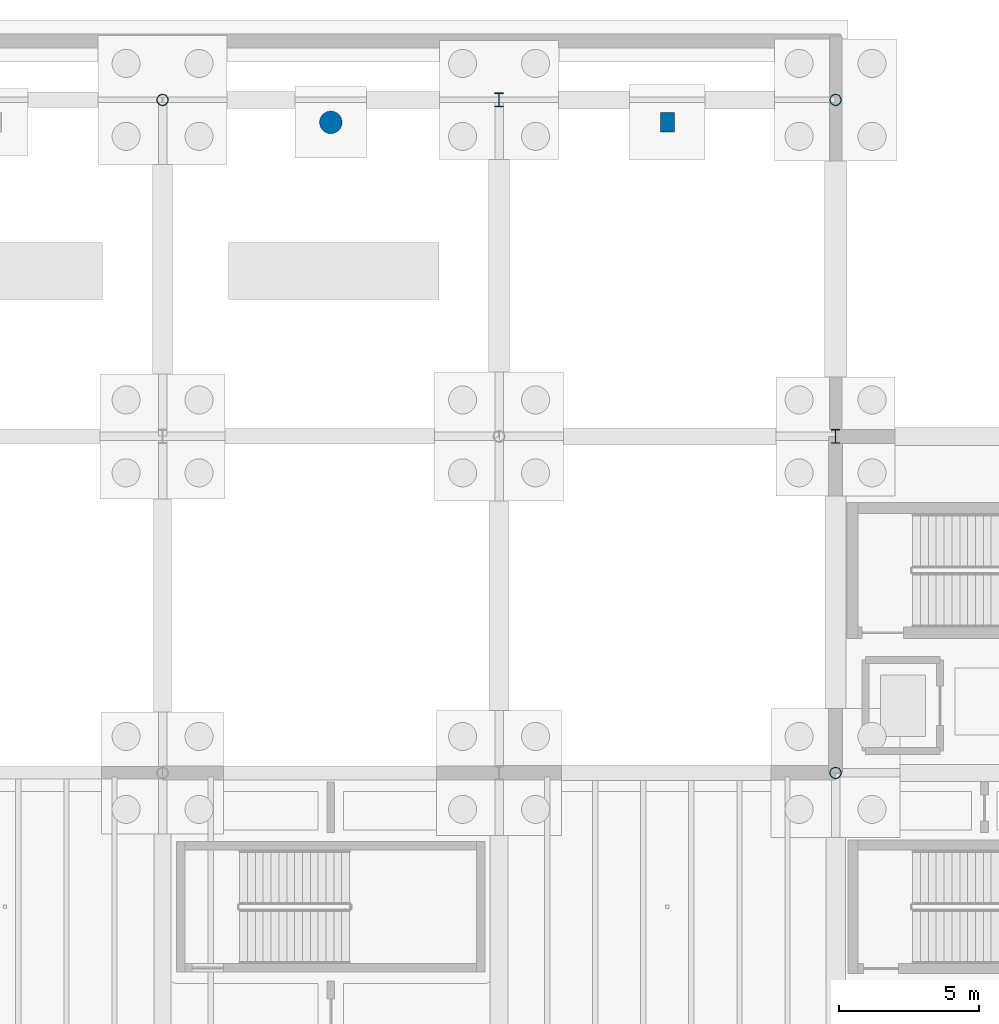
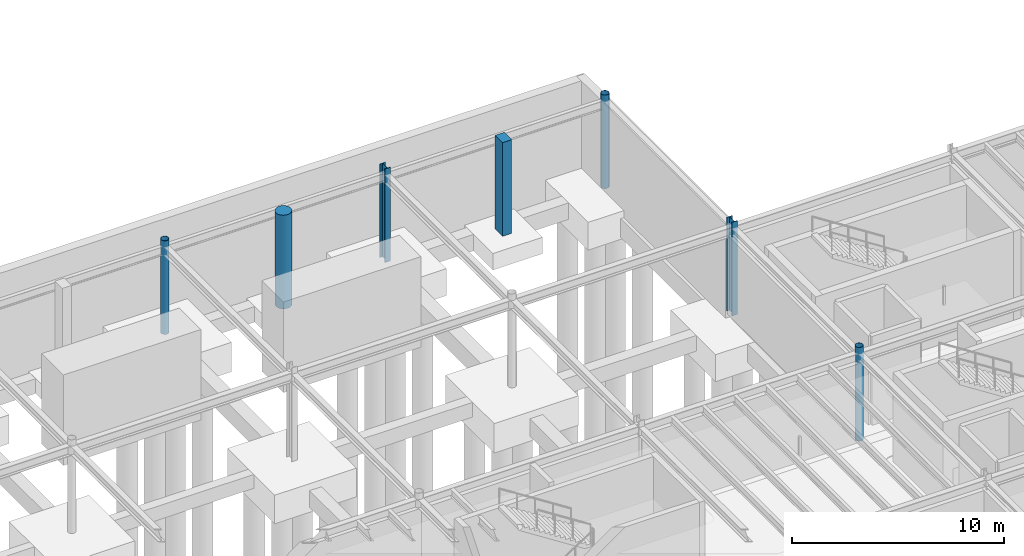
# One storey, part 18 of 67: 7 columns.
"""IFC4 building model written with IfcOpenShell, lengths in metres."""

from ifc_helpers import new_model, si_unit, direction, frame, origin, origin_2d, place, context, subcontext, project, spatial, rectangle, circle, hollow_circle, i_section, extrude, material, material_profile, profile_set, type_object, element, save


model = new_model("IFC4")

# Units and contexts
model_context = context("Model", 3, precision=1e-05, world=origin(), true_north=direction((0.0, 1.0)))
body_context = subcontext(model_context, "Body", "Model", "MODEL_VIEW")
ifc_project = project(units=[si_unit("LENGTHUNIT", "METRE"), si_unit("AREAUNIT", "SQUARE_METRE"), si_unit("VOLUMEUNIT", "CUBIC_METRE"), si_unit("PLANEANGLEUNIT", "RADIAN"), si_unit("MASSUNIT", "GRAM", prefix="KILO")], contexts=[model_context])

# Site, building, storey
site_placement = place(None, origin())
site = spatial("IfcSite", under=ifc_project, at=site_placement, CompositionType="ELEMENT")
building_placement = place(site_placement, origin())
building = spatial("IfcBuilding", under=site, at=building_placement, Name="Zlatogorsky Bluff Art Gallery", CompositionType="ELEMENT")
storey_placement = place(building_placement, frame((0.0, 0.0, -5.39990234375)))
storey = spatial("IfcBuildingStorey", under=building, at=storey_placement, Name="B1", CompositionType="ELEMENT", Elevation=-5.39990234375)

# Columns
ifc_material_1 = material(Name="Steel S355", Category="steel")
ifc_material_profile_1 = material_profile(ifc_material_1, i_section(OverallWidth=0.300048828125, OverallDepth=0.5, WebThickness=0.014404296875, FlangeThickness=0.028076171875, FilletRadius=0.027099609375, at=origin_2d()), Name="HEB 500")
ifc_profile_set_1 = profile_set([ifc_material_profile_1], Name="Steel S355")
column_type_1 = type_object("IfcColumnType", Name="Column CL-02 HEB 500", PredefinedType="COLUMN", material=ifc_profile_set_1)
for number, where, z_axis, x_axis, name in (
    (1, (108.0, 120.0, 0.0), (0.0, 0.0, 1.0), (1.0, 0.0, 0.0), "Column CL-02 B1 K12"),
    (2, (120.0, 108.0, 0.0), (0.0, 0.0, 1.0), (1.0, 0.0, 0.0), "Column CL-02 B1 L11"),
):
    element("IfcColumn", number, at=place(storey_placement, frame(where, z_axis=z_axis, x_axis=x_axis)), inside=storey, type_object=column_type_1, Name=name, PredefinedType="COLUMN", context=body_context, shape_type="SweptSolid", body=[
        extrude(i_section(OverallWidth=0.300048828125, OverallDepth=0.5, WebThickness=0.014404296875, FlangeThickness=0.028076171875, FilletRadius=0.027099609375, at=origin_2d()), origin(), (0.0, 0.0, 1.0), 5.39990234375),
    ])
ifc_material_profile_2 = material_profile(ifc_material_1, hollow_circle(Radius=0.203125, WallThickness=0.01611328125, at=origin_2d()), Name="CHS 406.4x16")
ifc_profile_set_2 = profile_set([ifc_material_profile_2], Name="Steel S355")
column_type_2 = type_object("IfcColumnType", Name="Column CL-09 CHS 406.4x16", PredefinedType="COLUMN", material=ifc_profile_set_2)
for number, where, z_axis, x_axis, name in (
    (3, (96.0, 120.0, 0.0), (0.0, 0.0, 1.0), (1.0, 0.0, 0.0), "Column CL-09 B1 J12"),
    (4, (120.0, 96.0, 0.0), (0.0, 0.0, 1.0), (1.0, 0.0, 0.0), "Column CL-09 B1 L10"),
    (5, (120.0, 120.0, 0.0), (0.0, 0.0, 1.0), (1.0, 0.0, 0.0), "Column CL-09 B1 L12"),
):
    element("IfcColumn", number, at=place(storey_placement, frame(where, z_axis=z_axis, x_axis=x_axis)), inside=storey, type_object=column_type_2, Name=name, PredefinedType="COLUMN", context=body_context, shape_type="SweptSolid", body=[
        extrude(hollow_circle(Radius=0.203125, WallThickness=0.01611328125, at=origin_2d()), origin(), (0.0, 0.0, 1.0), 5.39990234375),
    ])
ifc_material_2 = material(Name="Concrete C35/45", Category="concrete")
ifc_material_profile_3 = material_profile(ifc_material_2, rectangle(XDim=0.5, YDim=0.699951171875, at=origin_2d()), Name="RC PILASTER 500x700")
ifc_profile_set_3 = profile_set([ifc_material_profile_3], Name="Concrete C35/45")
column_type_3 = type_object("IfcColumnType", Name="Column PL-C1 RC PILASTER 500x700", PredefinedType="PILASTER", material=ifc_profile_set_3)
column_1_placement = place(storey_placement, frame((114.0, 119.199951171875, 0.0), z_axis=(0.0, 0.0, 1.0), x_axis=(1.0, 0.0, 0.0)))
element("IfcColumn", 6, at=column_1_placement, inside=storey, type_object=column_type_3, Name="Substructure pier PL-C1 5", PredefinedType="PILASTER", context=body_context, shape_type="SweptSolid", body=[
    extrude(rectangle(XDim=0.5, YDim=0.699951171875, at=origin_2d()), origin(), (0.0, 0.0, 1.0), 5.39990234375),
])
ifc_material_profile_4 = material_profile(ifc_material_2, circle(Radius=0.39990234375, at=origin_2d()), Name="RC D800")
ifc_profile_set_4 = profile_set([ifc_material_profile_4], Name="Concrete C35/45")
column_type_4 = type_object("IfcColumnType", Name="Column PL-C2 RC D800", PredefinedType="PILASTER", material=ifc_profile_set_4)
column_2_placement = place(storey_placement, frame((102.0, 119.199951171875, 0.0), z_axis=(0.0, 0.0, 1.0), x_axis=(1.0, 0.0, 0.0)))
element("IfcColumn", 7, at=column_2_placement, inside=storey, type_object=column_type_4, Name="Substructure pier PL-C2 4", PredefinedType="PILASTER", context=body_context, shape_type="SweptSolid", body=[
    extrude(circle(Radius=0.39990234375, at=origin_2d()), origin(), (0.0, 0.0, 1.0), 5.39990234375),
])

save(model, "model.ifc")
